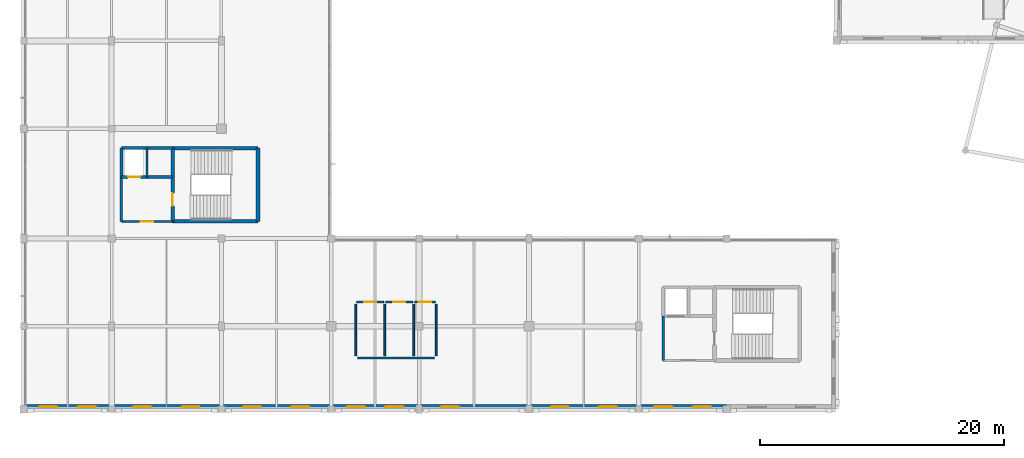
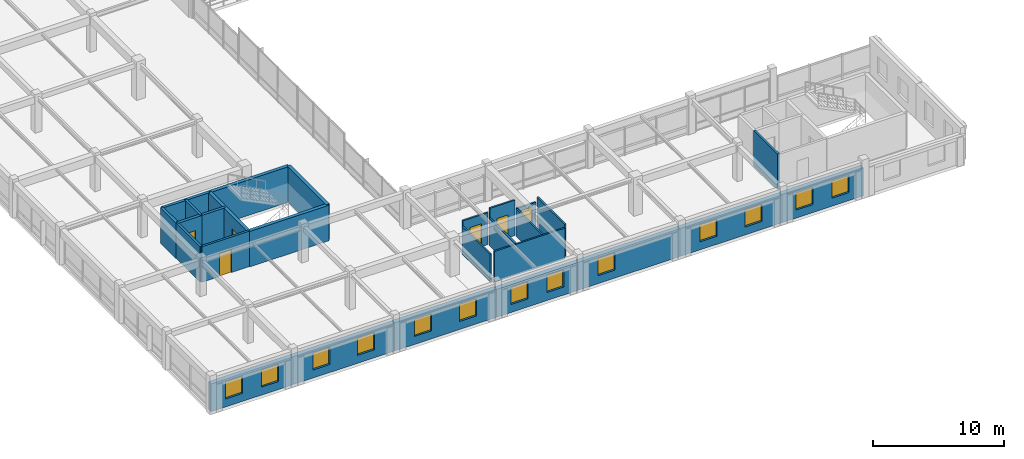
# One storey, part 49 of 74: 27 walls, 13 windows, 6 doors, 19 openings.
"""IFC4 building model written with IfcOpenShell, lengths in metres."""

from ifc_helpers import new_model, si_unit, direction, frame, frame_2d, origin, place, context, subcontext, project, spatial, rectangle, extrude, material, layer, layer_set, type_object, element, fill, save


model = new_model("IFC4")

# Units and contexts
model_context = context("Model", 3, precision=1e-05, world=origin(), true_north=direction((0.0, 1.0)))
body_context = subcontext(model_context, "Body", "Model", "MODEL_VIEW")
ifc_project = project(units=[si_unit("LENGTHUNIT", "METRE"), si_unit("AREAUNIT", "SQUARE_METRE"), si_unit("VOLUMEUNIT", "CUBIC_METRE"), si_unit("PLANEANGLEUNIT", "RADIAN"), si_unit("MASSUNIT", "GRAM", prefix="KILO")], contexts=[model_context])

# Site, building, storey
site_placement = place(None, origin())
site = spatial("IfcSite", under=ifc_project, at=site_placement, CompositionType="ELEMENT")
building_placement = place(site_placement, origin())
building = spatial("IfcBuilding", under=site, at=building_placement, Name="Clarverna Civic Hall", CompositionType="ELEMENT")
storey_placement = place(building_placement, frame((0.0, 0.0, 9.60009765625)))
storey = spatial("IfcBuildingStorey", under=building, at=storey_placement, Name="L02", CompositionType="ELEMENT", Elevation=9.60009765625)

# Wall, openings, windows
ifc_material_1 = material(Name="Montjuic Limestone Ashlar Cladding", Category="masonry")
ifc_layer_1 = layer(ifc_material_1, 0.39990234375)
ifc_layer_set_1 = layer_set([ifc_layer_1], Name="Montjuic Limestone Ashlar Cladding")
wall_type_1 = type_object("IfcWallType", Name="EW-02", PredefinedType="SOLIDWALL", material=ifc_layer_set_1)
wall_1_placement = place(storey_placement, frame((57.60009765625, 0.199951171875, 0.0), z_axis=(0.0, 0.0, 1.0), x_axis=(-1.0, 0.0, 0.0)))
wall_1 = element("IfcWall", 1, at=wall_1_placement, inside=storey, type_object=wall_type_1, Name="EW-02-132", PredefinedType="SOLIDWALL", context=body_context, shape_type="SweptSolid", body=[
    extrude(rectangle(XDim=7.2001953125, YDim=0.39990234375, at=frame_2d((3.60009765625, 0.0))), origin(), (0.0, 0.0, 1.0), 2.639892578125),
])
opening_1_placement = place(wall_1_placement, frame((1.26611328125, 0.0, 0.75)))
opening_1 = element("IfcOpeningElement", 2, at=opening_1_placement, cuts=wall_1, Name="Opening WN-14", PredefinedType="OPENING", context=body_context, shape_type="SweptSolid", body=[
    extrude(rectangle(XDim=1.5, YDim=1.60009765625, at=frame_2d((0.75, 0.800048828125))), frame((0.0, 0.2099609375, 0.0), z_axis=(0.0, -1.0, 0.0), x_axis=(1.0, 0.0, 0.0)), (0.0, 0.0, 1.0), 0.419921875),
])
opening_2_placement = place(wall_1_placement, frame((4.43408203125, 0.0, 0.75)))
opening_2 = element("IfcOpeningElement", 3, at=opening_2_placement, cuts=wall_1, Name="Opening WN-14", PredefinedType="OPENING", context=body_context, shape_type="SweptSolid", body=[
    extrude(rectangle(XDim=1.5, YDim=1.60009765625, at=frame_2d((0.75, 0.800048828125))), frame((0.0, 0.2099609375, 0.0), z_axis=(0.0, -1.0, 0.0), x_axis=(1.0, 0.0, 0.0)), (0.0, 0.0, 1.0), 0.419921875),
])
ifc_material_2 = material(Name="Solar-Control Argon Low-E Double Glazing", Category="glass")
window_type = type_object("IfcWindowType", Name="WN-14", PartitioningType="DOUBLE_PANEL_HORIZONTAL", PredefinedType="WINDOW", material=ifc_material_2)
window_1_placement = place(opening_1_placement, origin())
window_1 = element("IfcWindow", 4, at=window_1_placement, inside=storey, type_object=window_type, Name="WN-14-082", OverallHeight=1.60009765625, OverallWidth=1.5, PartitioningType="DOUBLE_PANEL_HORIZONTAL", PredefinedType="WINDOW", context=body_context, shape_type="SweptSolid", body=[
    extrude(rectangle(XDim=1.5, YDim=1.60009765625, at=frame_2d((0.75, 0.800048828125))), frame((0.0, 0.030029296875, 0.0), z_axis=(0.0, -1.0, 0.0), x_axis=(1.0, 0.0, 0.0)), (0.0, 0.0, 1.0), 0.06005859375),
])
fill(opening_1, window_1)
window_2_placement = place(opening_2_placement, origin())
window_2 = element("IfcWindow", 5, at=window_2_placement, inside=storey, type_object=window_type, Name="WN-14-083", OverallHeight=1.60009765625, OverallWidth=1.5, PartitioningType="DOUBLE_PANEL_HORIZONTAL", PredefinedType="WINDOW", context=body_context, shape_type="SweptSolid", body=[
    extrude(rectangle(XDim=1.5, YDim=1.60009765625, at=frame_2d((0.75, 0.800048828125))), frame((0.0, 0.030029296875, 0.0), z_axis=(0.0, -1.0, 0.0), x_axis=(1.0, 0.0, 0.0)), (0.0, 0.0, 1.0), 0.06005859375),
])
fill(opening_2, window_2)

wall_2_placement = place(storey_placement, frame((50.39990234375, 0.199951171875, 0.0), z_axis=(0.0, 0.0, 1.0), x_axis=(-1.0, 0.0, 0.0)))
wall_2 = element("IfcWall", 6, at=wall_2_placement, inside=storey, type_object=wall_type_1, Name="EW-02-133", PredefinedType="SOLIDWALL", context=body_context, shape_type="SweptSolid", body=[
    extrude(rectangle(XDim=9.0, YDim=0.39990234375, at=frame_2d((4.5, 0.0))), origin(), (0.0, 0.0, 1.0), 2.599853515625),
])
opening_3_placement = place(wall_2_placement, frame((1.77001953125, 0.0, 0.75)))
opening_3 = element("IfcOpeningElement", 7, at=opening_3_placement, cuts=wall_2, Name="Opening WN-14", PredefinedType="OPENING", context=body_context, shape_type="SweptSolid", body=[
    extrude(rectangle(XDim=1.5, YDim=1.60009765625, at=frame_2d((0.75, 0.800048828125))), frame((0.0, 0.2099609375, 0.0), z_axis=(0.0, -1.0, 0.0), x_axis=(1.0, 0.0, 0.0)), (0.0, 0.0, 1.0), 0.419921875),
])
opening_4_placement = place(wall_2_placement, frame((5.72998046875, 0.0, 0.75)))
opening_4 = element("IfcOpeningElement", 8, at=opening_4_placement, cuts=wall_2, Name="Opening WN-14", PredefinedType="OPENING", context=body_context, shape_type="SweptSolid", body=[
    extrude(rectangle(XDim=1.5, YDim=1.60009765625, at=frame_2d((0.75, 0.800048828125))), frame((0.0, 0.2099609375, 0.0), z_axis=(0.0, -1.0, 0.0), x_axis=(1.0, 0.0, 0.0)), (0.0, 0.0, 1.0), 0.419921875),
])
window_3_placement = place(opening_3_placement, origin())
window_3 = element("IfcWindow", 9, at=window_3_placement, inside=storey, type_object=window_type, Name="WN-14-084", OverallHeight=1.60009765625, OverallWidth=1.5, PartitioningType="DOUBLE_PANEL_HORIZONTAL", PredefinedType="WINDOW", context=body_context, shape_type="SweptSolid", body=[
    extrude(rectangle(XDim=1.5, YDim=1.60009765625, at=frame_2d((0.75, 0.800048828125))), frame((0.0, 0.030029296875, 0.0), z_axis=(0.0, -1.0, 0.0), x_axis=(1.0, 0.0, 0.0)), (0.0, 0.0, 1.0), 0.06005859375),
])
fill(opening_3, window_3)
window_4_placement = place(opening_4_placement, origin())
window_4 = element("IfcWindow", 10, at=window_4_placement, inside=storey, type_object=window_type, Name="WN-14-085", OverallHeight=1.60009765625, OverallWidth=1.5, PartitioningType="DOUBLE_PANEL_HORIZONTAL", PredefinedType="WINDOW", context=body_context, shape_type="SweptSolid", body=[
    extrude(rectangle(XDim=1.5, YDim=1.60009765625, at=frame_2d((0.75, 0.800048828125))), frame((0.0, 0.030029296875, 0.0), z_axis=(0.0, -1.0, 0.0), x_axis=(1.0, 0.0, 0.0)), (0.0, 0.0, 1.0), 0.06005859375),
])
fill(opening_4, window_4)

# Wall, opening, window
wall_3_placement = place(storey_placement, frame((41.39990234375, 0.199951171875, 0.0), z_axis=(0.0, 0.0, 1.0), x_axis=(-1.0, 0.0, 0.0)))
wall_3 = element("IfcWall", 11, at=wall_3_placement, inside=storey, type_object=wall_type_1, Name="EW-02-134", PredefinedType="SOLIDWALL", context=body_context, shape_type="SweptSolid", body=[
    extrude(rectangle(XDim=9.0, YDim=0.39990234375, at=frame_2d((4.5, 0.0))), origin(), (0.0, 0.0, 1.0), 2.599853515625),
])
opening_5_placement = place(wall_3_placement, frame((5.72998046875, 0.0, 0.75)))
opening_5 = element("IfcOpeningElement", 12, at=opening_5_placement, cuts=wall_3, Name="Opening WN-14", PredefinedType="OPENING", context=body_context, shape_type="SweptSolid", body=[
    extrude(rectangle(XDim=1.5, YDim=1.60009765625, at=frame_2d((0.75, 0.800048828125))), frame((0.0, 0.2099609375, 0.0), z_axis=(0.0, -1.0, 0.0), x_axis=(1.0, 0.0, 0.0)), (0.0, 0.0, 1.0), 0.419921875),
])
window_5_placement = place(opening_5_placement, origin())
window_5 = element("IfcWindow", 13, at=window_5_placement, inside=storey, type_object=window_type, Name="WN-14-086", OverallHeight=1.60009765625, OverallWidth=1.5, PartitioningType="DOUBLE_PANEL_HORIZONTAL", PredefinedType="WINDOW", context=body_context, shape_type="SweptSolid", body=[
    extrude(rectangle(XDim=1.5, YDim=1.60009765625, at=frame_2d((0.75, 0.800048828125))), frame((0.0, 0.030029296875, 0.0), z_axis=(0.0, -1.0, 0.0), x_axis=(1.0, 0.0, 0.0)), (0.0, 0.0, 1.0), 0.06005859375),
])
fill(opening_5, window_5)

# Wall, openings, windows
wall_4_placement = place(storey_placement, frame((32.39990234375, 0.199951171875, 0.0), z_axis=(0.0, 0.0, 1.0), x_axis=(-1.0, 0.0, 0.0)))
wall_4 = element("IfcWall", 14, at=wall_4_placement, inside=storey, type_object=wall_type_1, Name="EW-02-135", PredefinedType="SOLIDWALL", context=body_context, shape_type="SweptSolid", body=[
    extrude(rectangle(XDim=7.199951171875, YDim=0.39990234375, at=frame_2d((3.60009765625, 0.0))), origin(), (0.0, 0.0, 1.0), 2.599853515625),
])
opening_6_placement = place(wall_4_placement, frame((1.26611328125, 0.0, 0.75)))
opening_6 = element("IfcOpeningElement", 15, at=opening_6_placement, cuts=wall_4, Name="Opening WN-14", PredefinedType="OPENING", context=body_context, shape_type="SweptSolid", body=[
    extrude(rectangle(XDim=1.5, YDim=1.60009765625, at=frame_2d((0.75, 0.800048828125))), frame((0.0, 0.2099609375, 0.0), z_axis=(0.0, -1.0, 0.0), x_axis=(1.0, 0.0, 0.0)), (0.0, 0.0, 1.0), 0.419921875),
])
opening_7_placement = place(wall_4_placement, frame((4.43408203125, 0.0, 0.75)))
opening_7 = element("IfcOpeningElement", 16, at=opening_7_placement, cuts=wall_4, Name="Opening WN-14", PredefinedType="OPENING", context=body_context, shape_type="SweptSolid", body=[
    extrude(rectangle(XDim=1.5, YDim=1.60009765625, at=frame_2d((0.75, 0.800048828125))), frame((0.0, 0.2099609375, 0.0), z_axis=(0.0, -1.0, 0.0), x_axis=(1.0, 0.0, 0.0)), (0.0, 0.0, 1.0), 0.419921875),
])
window_6_placement = place(opening_6_placement, origin())
window_6 = element("IfcWindow", 17, at=window_6_placement, inside=storey, type_object=window_type, Name="WN-14-087", OverallHeight=1.60009765625, OverallWidth=1.5, PartitioningType="DOUBLE_PANEL_HORIZONTAL", PredefinedType="WINDOW", context=body_context, shape_type="SweptSolid", body=[
    extrude(rectangle(XDim=1.5, YDim=1.60009765625, at=frame_2d((0.75, 0.800048828125))), frame((0.0, 0.030029296875, 0.0), z_axis=(0.0, -1.0, 0.0), x_axis=(1.0, 0.0, 0.0)), (0.0, 0.0, 1.0), 0.06005859375),
])
fill(opening_6, window_6)
window_7_placement = place(opening_7_placement, origin())
window_7 = element("IfcWindow", 18, at=window_7_placement, inside=storey, type_object=window_type, Name="WN-14-088", OverallHeight=1.60009765625, OverallWidth=1.5, PartitioningType="DOUBLE_PANEL_HORIZONTAL", PredefinedType="WINDOW", context=body_context, shape_type="SweptSolid", body=[
    extrude(rectangle(XDim=1.5, YDim=1.60009765625, at=frame_2d((0.75, 0.800048828125))), frame((0.0, 0.030029296875, 0.0), z_axis=(0.0, -1.0, 0.0), x_axis=(1.0, 0.0, 0.0)), (0.0, 0.0, 1.0), 0.06005859375),
])
fill(opening_7, window_7)

wall_5_placement = place(storey_placement, frame((25.199951171875, 0.199951171875, 0.0), z_axis=(0.0, 0.0, 1.0), x_axis=(-1.0, 0.0, 0.0)))
wall_5 = element("IfcWall", 19, at=wall_5_placement, inside=storey, type_object=wall_type_1, Name="EW-02-136", PredefinedType="SOLIDWALL", context=body_context, shape_type="SweptSolid", body=[
    extrude(rectangle(XDim=9.0, YDim=0.39990234375, at=frame_2d((4.5, 0.0))), origin(), (0.0, 0.0, 1.0), 2.639892578125),
])
opening_8_placement = place(wall_5_placement, frame((1.77001953125, 0.0, 0.75)))
opening_8 = element("IfcOpeningElement", 20, at=opening_8_placement, cuts=wall_5, Name="Opening WN-14", PredefinedType="OPENING", context=body_context, shape_type="SweptSolid", body=[
    extrude(rectangle(XDim=1.5, YDim=1.60009765625, at=frame_2d((0.75, 0.800048828125))), frame((0.0, 0.2099609375, 0.0), z_axis=(0.0, -1.0, 0.0), x_axis=(1.0, 0.0, 0.0)), (0.0, 0.0, 1.0), 0.419921875),
])
opening_9_placement = place(wall_5_placement, frame((5.72998046875, 0.0, 0.75)))
opening_9 = element("IfcOpeningElement", 21, at=opening_9_placement, cuts=wall_5, Name="Opening WN-14", PredefinedType="OPENING", context=body_context, shape_type="SweptSolid", body=[
    extrude(rectangle(XDim=1.5, YDim=1.60009765625, at=frame_2d((0.75, 0.800048828125))), frame((0.0, 0.2099609375, 0.0), z_axis=(0.0, -1.0, 0.0), x_axis=(1.0, 0.0, 0.0)), (0.0, 0.0, 1.0), 0.419921875),
])
window_8_placement = place(opening_8_placement, origin())
window_8 = element("IfcWindow", 22, at=window_8_placement, inside=storey, type_object=window_type, Name="WN-14-089", OverallHeight=1.60009765625, OverallWidth=1.5, PartitioningType="DOUBLE_PANEL_HORIZONTAL", PredefinedType="WINDOW", context=body_context, shape_type="SweptSolid", body=[
    extrude(rectangle(XDim=1.5, YDim=1.60009765625, at=frame_2d((0.75, 0.800048828125))), frame((0.0, 0.030029296875, 0.0), z_axis=(0.0, -1.0, 0.0), x_axis=(1.0, 0.0, 0.0)), (0.0, 0.0, 1.0), 0.06005859375),
])
fill(opening_8, window_8)
window_9_placement = place(opening_9_placement, origin())
window_9 = element("IfcWindow", 23, at=window_9_placement, inside=storey, type_object=window_type, Name="WN-14-090", OverallHeight=1.60009765625, OverallWidth=1.5, PartitioningType="DOUBLE_PANEL_HORIZONTAL", PredefinedType="WINDOW", context=body_context, shape_type="SweptSolid", body=[
    extrude(rectangle(XDim=1.5, YDim=1.60009765625, at=frame_2d((0.75, 0.800048828125))), frame((0.0, 0.030029296875, 0.0), z_axis=(0.0, -1.0, 0.0), x_axis=(1.0, 0.0, 0.0)), (0.0, 0.0, 1.0), 0.06005859375),
])
fill(opening_9, window_9)

wall_6_placement = place(storey_placement, frame((16.199951171875, 0.199951171875, 0.0), z_axis=(0.0, 0.0, 1.0), x_axis=(-1.0, 0.0, 0.0)))
wall_6 = element("IfcWall", 24, at=wall_6_placement, inside=storey, type_object=wall_type_1, Name="EW-02-137", PredefinedType="SOLIDWALL", context=body_context, shape_type="SweptSolid", body=[
    extrude(rectangle(XDim=9.0, YDim=0.39990234375, at=frame_2d((4.5, 0.0))), origin(), (0.0, 0.0, 1.0), 2.599853515625),
])
opening_10_placement = place(wall_6_placement, frame((1.77001953125, 0.0, 0.75)))
opening_10 = element("IfcOpeningElement", 25, at=opening_10_placement, cuts=wall_6, Name="Opening WN-14", PredefinedType="OPENING", context=body_context, shape_type="SweptSolid", body=[
    extrude(rectangle(XDim=1.5, YDim=1.60009765625, at=frame_2d((0.75, 0.800048828125))), frame((0.0, 0.2099609375, 0.0), z_axis=(0.0, -1.0, 0.0), x_axis=(1.0, 0.0, 0.0)), (0.0, 0.0, 1.0), 0.419921875),
])
opening_11_placement = place(wall_6_placement, frame((5.72998046875, 0.0, 0.75)))
opening_11 = element("IfcOpeningElement", 26, at=opening_11_placement, cuts=wall_6, Name="Opening WN-14", PredefinedType="OPENING", context=body_context, shape_type="SweptSolid", body=[
    extrude(rectangle(XDim=1.5, YDim=1.60009765625, at=frame_2d((0.75, 0.800048828125))), frame((0.0, 0.2099609375, 0.0), z_axis=(0.0, -1.0, 0.0), x_axis=(1.0, 0.0, 0.0)), (0.0, 0.0, 1.0), 0.419921875),
])
window_10_placement = place(opening_10_placement, origin())
window_10 = element("IfcWindow", 27, at=window_10_placement, inside=storey, type_object=window_type, Name="WN-14-091", OverallHeight=1.60009765625, OverallWidth=1.5, PartitioningType="DOUBLE_PANEL_HORIZONTAL", PredefinedType="WINDOW", context=body_context, shape_type="SweptSolid", body=[
    extrude(rectangle(XDim=1.5, YDim=1.60009765625, at=frame_2d((0.75, 0.800048828125))), frame((0.0, 0.030029296875, 0.0), z_axis=(0.0, -1.0, 0.0), x_axis=(1.0, 0.0, 0.0)), (0.0, 0.0, 1.0), 0.06005859375),
])
fill(opening_10, window_10)
window_11_placement = place(opening_11_placement, origin())
window_11 = element("IfcWindow", 28, at=window_11_placement, inside=storey, type_object=window_type, Name="WN-14-092", OverallHeight=1.60009765625, OverallWidth=1.5, PartitioningType="DOUBLE_PANEL_HORIZONTAL", PredefinedType="WINDOW", context=body_context, shape_type="SweptSolid", body=[
    extrude(rectangle(XDim=1.5, YDim=1.60009765625, at=frame_2d((0.75, 0.800048828125))), frame((0.0, 0.030029296875, 0.0), z_axis=(0.0, -1.0, 0.0), x_axis=(1.0, 0.0, 0.0)), (0.0, 0.0, 1.0), 0.06005859375),
])
fill(opening_11, window_11)

wall_7_placement = place(storey_placement, frame((7.199951171875, 0.199951171875, 0.0), z_axis=(0.0, 0.0, 1.0), x_axis=(-1.0, 0.0, 0.0)))
wall_7 = element("IfcWall", 29, at=wall_7_placement, inside=storey, type_object=wall_type_1, Name="EW-02-138", PredefinedType="SOLIDWALL", context=body_context, shape_type="SweptSolid", body=[
    extrude(rectangle(XDim=7.199951171875, YDim=0.39990234375, at=frame_2d((3.60009765625, 0.0))), origin(), (0.0, 0.0, 1.0), 2.599853515625),
])
opening_12_placement = place(wall_7_placement, frame((1.26611328125, 0.0, 0.75)))
opening_12 = element("IfcOpeningElement", 30, at=opening_12_placement, cuts=wall_7, Name="Opening WN-14", PredefinedType="OPENING", context=body_context, shape_type="SweptSolid", body=[
    extrude(rectangle(XDim=1.5, YDim=1.60009765625, at=frame_2d((0.75, 0.800048828125))), frame((0.0, 0.2099609375, 0.0), z_axis=(0.0, -1.0, 0.0), x_axis=(1.0, 0.0, 0.0)), (0.0, 0.0, 1.0), 0.419921875),
])
opening_13_placement = place(wall_7_placement, frame((4.43408203125, 0.0, 0.75)))
opening_13 = element("IfcOpeningElement", 31, at=opening_13_placement, cuts=wall_7, Name="Opening WN-14", PredefinedType="OPENING", context=body_context, shape_type="SweptSolid", body=[
    extrude(rectangle(XDim=1.5, YDim=1.60009765625, at=frame_2d((0.75, 0.800048828125))), frame((0.0, 0.2099609375, 0.0), z_axis=(0.0, -1.0, 0.0), x_axis=(1.0, 0.0, 0.0)), (0.0, 0.0, 1.0), 0.419921875),
])
window_12_placement = place(opening_12_placement, origin())
window_12 = element("IfcWindow", 32, at=window_12_placement, inside=storey, type_object=window_type, Name="WN-14-093", OverallHeight=1.60009765625, OverallWidth=1.5, PartitioningType="DOUBLE_PANEL_HORIZONTAL", PredefinedType="WINDOW", context=body_context, shape_type="SweptSolid", body=[
    extrude(rectangle(XDim=1.5, YDim=1.60009765625, at=frame_2d((0.75, 0.800048828125))), frame((0.0, 0.030029296875, 0.0), z_axis=(0.0, -1.0, 0.0), x_axis=(1.0, 0.0, 0.0)), (0.0, 0.0, 1.0), 0.06005859375),
])
fill(opening_12, window_12)
window_13_placement = place(opening_13_placement, origin())
window_13 = element("IfcWindow", 33, at=window_13_placement, inside=storey, type_object=window_type, Name="WN-14-094", OverallHeight=1.60009765625, OverallWidth=1.5, PartitioningType="DOUBLE_PANEL_HORIZONTAL", PredefinedType="WINDOW", context=body_context, shape_type="SweptSolid", body=[
    extrude(rectangle(XDim=1.5, YDim=1.60009765625, at=frame_2d((0.75, 0.800048828125))), frame((0.0, 0.030029296875, 0.0), z_axis=(0.0, -1.0, 0.0), x_axis=(1.0, 0.0, 0.0)), (0.0, 0.0, 1.0), 0.06005859375),
])
fill(opening_13, window_13)

# Walls
ifc_material_3 = material(Name="Ceramic Brick and Plaster Wet-Room Partition", Category="masonry")
ifc_layer_2 = layer(ifc_material_3, 0.139892578125)
ifc_layer_set_2 = layer_set([ifc_layer_2], Name="Ceramic Brick and Plaster Wet-Room Partition")
wall_type_2 = type_object("IfcWallType", Name="PW-02", PredefinedType="PARTITIONING", material=ifc_layer_set_2)
wall_8_placement = place(storey_placement, frame((27.3798828125, 4.199951171875, 0.0), z_axis=(0.0, 0.0, 1.0), x_axis=(1.0, 0.0, 0.0)))
element("IfcWall", 34, at=wall_8_placement, inside=storey, type_object=wall_type_2, Name="PW-02-185", PredefinedType="PARTITIONING", context=body_context, shape_type="SweptSolid", body=[
    extrude(rectangle(XDim=6.240234375, YDim=0.139892578125, at=frame_2d((3.1201171875, 0.0))), origin(), (0.0, 0.0, 1.0), 2.869873046875),
])
wall_9_placement = place(storey_placement, frame((27.199951171875, 4.3798828125, 0.0), z_axis=(0.0, 0.0, 1.0), x_axis=(0.0, 1.0, 0.0)))
element("IfcWall", 35, at=wall_9_placement, inside=storey, type_object=wall_type_2, Name="PW-02-186", PredefinedType="PARTITIONING", context=body_context, shape_type="SweptSolid", body=[
    extrude(rectangle(XDim=4.240234375, YDim=0.139892578125, at=frame_2d((2.1201171875, 0.0))), origin(), (0.0, 0.0, 1.0), 2.56982421875),
])
wall_10_placement = place(storey_placement, frame((33.800048828125, 4.3798828125, 0.0), z_axis=(0.0, 0.0, 1.0), x_axis=(0.0, 1.0, 0.0)))
element("IfcWall", 36, at=wall_10_placement, inside=storey, type_object=wall_type_2, Name="PW-02-187", PredefinedType="PARTITIONING", context=body_context, shape_type="SweptSolid", body=[
    extrude(rectangle(XDim=4.240234375, YDim=0.139892578125, at=frame_2d((2.1201171875, 0.0))), origin(), (0.0, 0.0, 1.0), 3.02978515625),
])
for number, where, z_axis, x_axis, name in (
    (37, (29.575927734375, 4.3798828125, 0.0), (0.0, 0.0, 1.0), (0.0, 1.0, 0.0), "PW-02-188"),
    (38, (31.951904296875, 4.3798828125, 0.0), (0.0, 0.0, 1.0), (0.0, 1.0, 0.0), "PW-02-189"),
):
    element("IfcWall", number, at=place(storey_placement, frame(where, z_axis=z_axis, x_axis=x_axis)), inside=storey, type_object=wall_type_2, Name=name, PredefinedType="PARTITIONING", context=body_context, shape_type="SweptSolid", body=[
        extrude(rectangle(XDim=4.240234375, YDim=0.139892578125, at=frame_2d((2.1201171875, 0.0))), origin(), (0.0, 0.0, 1.0), 2.56982421875),
    ])

# Wall, opening, door
wall_11_placement = place(storey_placement, frame((27.280029296875, 8.800048828125, 0.0), z_axis=(0.0, 0.0, 1.0), x_axis=(1.0, 0.0, 0.0)))
wall_11 = element("IfcWall", 39, at=wall_11_placement, inside=storey, type_object=wall_type_2, Name="PW-02-190", PredefinedType="PARTITIONING", context=body_context, shape_type="SweptSolid", body=[
    extrude(rectangle(XDim=2.216064453125, YDim=0.139892578125, at=frame_2d((1.10791015625, 0.0))), origin(), (0.0, 0.0, 1.0), 2.989990234375),
])
opening_14_placement = place(wall_11_placement, frame((0.60791015625, 0.0, 0.0)))
opening_14 = element("IfcOpeningElement", 40, at=opening_14_placement, cuts=wall_11, Name="Opening ID-02", PredefinedType="OPENING", context=body_context, shape_type="SweptSolid", body=[
    extrude(rectangle(XDim=1.0, YDim=2.14990234375, at=frame_2d((0.5, 1.074951171875))), frame((0.0, 0.079833984375, 0.0), z_axis=(0.0, -1.0, 0.0), x_axis=(1.0, 0.0, 0.0)), (0.0, 0.0, 1.0), 0.159912109375),
])
ifc_material_4 = material(Name="European Oak Veneered Acoustic Timber Door", Category="wood")
door_type_1 = type_object("IfcDoorType", Name="ID-02", OperationType="NOTDEFINED", PredefinedType="DOOR", material=ifc_material_4)
door_1_placement = place(opening_14_placement, origin())
door_1 = element("IfcDoor", 41, at=door_1_placement, inside=storey, type_object=door_type_1, Name="ID-02-070", OperationType="SINGLE_SWING_RIGHT", OverallHeight=2.14990234375, OverallWidth=1.0, PredefinedType="DOOR", context=body_context, shape_type="SweptSolid", body=[
    extrude(rectangle(XDim=1.0, YDim=2.14990234375, at=frame_2d((0.5, 1.074951171875))), frame((0.0, 0.02490234375, 0.0), z_axis=(0.0, -1.0, 0.0), x_axis=(1.0, 0.0, 0.0)), (0.0, 0.0, 1.0), 0.050048828125),
])
fill(opening_14, door_1)

wall_12_placement = place(storey_placement, frame((29.656005859375, 8.800048828125, 0.0), z_axis=(0.0, 0.0, 1.0), x_axis=(1.0, 0.0, 0.0)))
wall_12 = element("IfcWall", 42, at=wall_12_placement, inside=storey, type_object=wall_type_2, Name="PW-02-191", PredefinedType="PARTITIONING", context=body_context, shape_type="SweptSolid", body=[
    extrude(rectangle(XDim=2.216064453125, YDim=0.139892578125, at=frame_2d((1.10791015625, 0.0))), origin(), (0.0, 0.0, 1.0), 3.31982421875),
])
opening_15_placement = place(wall_12_placement, frame((0.60791015625, 0.0, 0.0)))
opening_15 = element("IfcOpeningElement", 43, at=opening_15_placement, cuts=wall_12, Name="Opening ID-02", PredefinedType="OPENING", context=body_context, shape_type="SweptSolid", body=[
    extrude(rectangle(XDim=1.0, YDim=2.14990234375, at=frame_2d((0.5, 1.074951171875))), frame((0.0, 0.079833984375, 0.0), z_axis=(0.0, -1.0, 0.0), x_axis=(1.0, 0.0, 0.0)), (0.0, 0.0, 1.0), 0.159912109375),
])
door_2_placement = place(opening_15_placement, origin())
door_2 = element("IfcDoor", 44, at=door_2_placement, inside=storey, type_object=door_type_1, Name="ID-02-071", OperationType="SINGLE_SWING_LEFT", OverallHeight=2.14990234375, OverallWidth=1.0, PredefinedType="DOOR", context=body_context, shape_type="SweptSolid", body=[
    extrude(rectangle(XDim=1.0, YDim=2.14990234375, at=frame_2d((0.5, 1.074951171875))), frame((0.0, 0.02490234375, 0.0), z_axis=(0.0, -1.0, 0.0), x_axis=(1.0, 0.0, 0.0)), (0.0, 0.0, 1.0), 0.050048828125),
])
fill(opening_15, door_2)

wall_13_placement = place(storey_placement, frame((32.031982421875, 8.800048828125, 0.0), z_axis=(0.0, 0.0, 1.0), x_axis=(1.0, 0.0, 0.0)))
wall_13 = element("IfcWall", 45, at=wall_13_placement, inside=storey, type_object=wall_type_2, Name="PW-02-192", PredefinedType="PARTITIONING", context=body_context, shape_type="SweptSolid", body=[
    extrude(rectangle(XDim=1.68798828125, YDim=0.139892578125, at=frame_2d((0.843994140625, 0.0))), origin(), (0.0, 0.0, 1.0), 2.469970703125),
])
opening_16_placement = place(wall_13_placement, frame((0.343994140625, 0.0, 0.0)))
opening_16 = element("IfcOpeningElement", 46, at=opening_16_placement, cuts=wall_13, Name="Opening ID-02", PredefinedType="OPENING", context=body_context, shape_type="SweptSolid", body=[
    extrude(rectangle(XDim=1.0, YDim=2.14990234375, at=frame_2d((0.5, 1.074951171875))), frame((0.0, 0.079833984375, 0.0), z_axis=(0.0, -1.0, 0.0), x_axis=(1.0, 0.0, 0.0)), (0.0, 0.0, 1.0), 0.159912109375),
])
door_3_placement = place(opening_16_placement, origin())
door_3 = element("IfcDoor", 47, at=door_3_placement, inside=storey, type_object=door_type_1, Name="ID-02-072", OperationType="SINGLE_SWING_RIGHT", OverallHeight=2.14990234375, OverallWidth=1.0, PredefinedType="DOOR", context=body_context, shape_type="SweptSolid", body=[
    extrude(rectangle(XDim=1.0, YDim=2.14990234375, at=frame_2d((0.5, 1.074951171875))), frame((0.0, 0.02490234375, 0.0), z_axis=(0.0, -1.0, 0.0), x_axis=(1.0, 0.0, 0.0)), (0.0, 0.0, 1.0), 0.050048828125),
])
fill(opening_16, door_3)

# Walls
ifc_material_5 = material(Name="Acoustic Gypsum Plasterboard on Twin Frame", Category="gypsum")
ifc_layer_3 = layer(ifc_material_5, 0.18994140625)
ifc_layer_set_3 = layer_set([ifc_layer_3], Name="Acoustic Gypsum Plasterboard on Twin Frame")
wall_type_3 = type_object("IfcWallType", Name="PW-06", PredefinedType="PARTITIONING", material=ifc_layer_set_3)
wall_14_placement = place(storey_placement, frame((52.39990234375, 4.0, 0.0), z_axis=(0.0, 0.0, 1.0), x_axis=(0.0, 1.0, 0.0)))
element("IfcWall", 48, at=wall_14_placement, inside=storey, type_object=wall_type_3, Name="PW-06-075", PredefinedType="PARTITIONING", context=body_context, shape_type="SweptSolid", body=[
    extrude(rectangle(XDim=3.64990234375, YDim=0.18994140625, at=frame_2d((1.824951171875, 0.0))), origin(), (0.0, 0.0, 1.0), 3.31982421875),
])
wall_15_placement = place(storey_placement, frame((8.0, 15.39990234375, 0.0), z_axis=(0.0, 0.0, 1.0), x_axis=(0.0, 1.0, 0.0)))
element("IfcWall", 49, at=wall_15_placement, inside=storey, type_object=wall_type_3, Name="PW-06-085", PredefinedType="PARTITIONING", context=body_context, shape_type="SweptSolid", body=[
    extrude(rectangle(XDim=3.650146484375, YDim=0.18994140625, at=frame_2d((1.8251953125, 0.0))), origin(), (0.0, 0.0, 1.0), 3.31982421875),
])

# Wall, opening, door
wall_16_placement = place(storey_placement, frame((8.0, 15.39990234375, 0.0), z_axis=(0.0, 0.0, 1.0), x_axis=(1.0, 0.0, 0.0)))
wall_16 = element("IfcWall", 50, at=wall_16_placement, inside=storey, type_object=wall_type_3, Name="PW-06-086", PredefinedType="PARTITIONING", context=body_context, shape_type="SweptSolid", body=[
    extrude(rectangle(XDim=4.199951171875, YDim=0.18994140625, at=frame_2d((2.10009765625, 0.0))), origin(), (0.0, 0.0, 1.0), 3.31982421875),
])
opening_17_placement = place(wall_16_placement, frame((1.574951171875, 0.0, 0.0)))
opening_17 = element("IfcOpeningElement", 51, at=opening_17_placement, cuts=wall_16, Name="Opening FD-02", PredefinedType="OPENING", context=body_context, shape_type="SweptSolid", body=[
    extrude(rectangle(XDim=1.050048828125, YDim=2.14990234375, at=frame_2d((0.52490234375, 1.074951171875))), frame((0.0, 0.10498046875, 0.0), z_axis=(0.0, -1.0, 0.0), x_axis=(1.0, 0.0, 0.0)), (0.0, 0.0, 1.0), 0.2099609375),
])
ifc_material_6 = material(Name="Acoustic Timber-Faced Fire Door", Category="wood")
door_type_2 = type_object("IfcDoorType", Name="FD-02", OperationType="NOTDEFINED", PredefinedType="DOOR", material=ifc_material_6)
door_4_placement = place(opening_17_placement, origin())
door_4 = element("IfcDoor", 52, at=door_4_placement, inside=storey, type_object=door_type_2, Name="FD-02-079", OperationType="SINGLE_SWING_RIGHT", OverallHeight=2.14990234375, OverallWidth=1.050048828125, PredefinedType="DOOR", context=body_context, shape_type="SweptSolid", body=[
    extrude(rectangle(XDim=1.050048828125, YDim=2.14990234375, at=frame_2d((0.52490234375, 1.074951171875))), frame((0.0, 0.02490234375, 0.0), z_axis=(0.0, -1.0, 0.0), x_axis=(1.0, 0.0, 0.0)), (0.0, 0.0, 1.0), 0.050048828125),
])
fill(opening_17, door_4)

ifc_material_7 = material(Name="Concrete C35/45", Category="concrete")
ifc_layer_4 = layer(ifc_material_7, 0.300048828125)
ifc_layer_set_4 = layer_set([ifc_layer_4], Name="Concrete C35/45")
wall_type_4 = type_object("IfcWallType", Name="SW-03", PredefinedType="SHEAR", material=ifc_layer_set_4)
wall_17_placement = place(storey_placement, frame((12.199951171875, 15.39990234375, 0.0), z_axis=(0.0, 0.0, 1.0), x_axis=(0.0, 1.0, 0.0)))
wall_17 = element("IfcWall", 53, at=wall_17_placement, inside=storey, type_object=wall_type_4, Name="SW-03-127", PredefinedType="SHEAR", context=body_context, shape_type="SweptSolid", body=[
    extrude(rectangle(XDim=6.0, YDim=0.300048828125, at=frame_2d((3.0, 0.0))), origin(), (0.0, 0.0, 1.0), 3.31982421875),
])
opening_18_placement = place(wall_17_placement, frame((1.27490234375, 0.0, 0.0)))
opening_18 = element("IfcOpeningElement", 54, at=opening_18_placement, cuts=wall_17, Name="Opening FD-02", PredefinedType="OPENING", context=body_context, shape_type="SweptSolid", body=[
    extrude(rectangle(XDim=1.050048828125, YDim=2.14990234375, at=frame_2d((0.52490234375, 1.074951171875))), frame((0.0, 0.159912109375, 0.0), z_axis=(0.0, -1.0, 0.0), x_axis=(1.0, 0.0, 0.0)), (0.0, 0.0, 1.0), 0.320068359375),
])
door_5_placement = place(opening_18_placement, origin())
door_5 = element("IfcDoor", 55, at=door_5_placement, inside=storey, type_object=door_type_2, Name="FD-02-078", OperationType="SINGLE_SWING_LEFT", OverallHeight=2.14990234375, OverallWidth=1.050048828125, PredefinedType="DOOR", context=body_context, shape_type="SweptSolid", body=[
    extrude(rectangle(XDim=1.050048828125, YDim=2.14990234375, at=frame_2d((0.52490234375, 1.074951171875))), frame((0.0, 0.02490234375, 0.0), z_axis=(0.0, -1.0, 0.0), x_axis=(1.0, 0.0, 0.0)), (0.0, 0.0, 1.0), 0.050048828125),
])
fill(opening_18, door_5)

# Walls
wall_18_placement = place(storey_placement, frame((19.199951171875, 15.39990234375, 0.0), z_axis=(0.0, 0.0, 1.0), x_axis=(0.0, 1.0, 0.0)))
element("IfcWall", 56, at=wall_18_placement, inside=storey, type_object=wall_type_4, Name="SW-03-128", PredefinedType="SHEAR", context=body_context, shape_type="SweptSolid", body=[
    extrude(rectangle(XDim=6.0, YDim=0.300048828125, at=frame_2d((3.0, 0.0))), origin(), (0.0, 0.0, 1.0), 3.31982421875),
])
for number, where, z_axis, x_axis, name in (
    (57, (12.199951171875, 15.39990234375, 0.0), (0.0, 0.0, 1.0), (1.0, 0.0, 0.0), "SW-03-129"),
    (58, (12.199951171875, 21.39990234375, 0.0), (0.0, 0.0, 1.0), (1.0, 0.0, 0.0), "SW-03-130"),
):
    element("IfcWall", number, at=place(storey_placement, frame(where, z_axis=z_axis, x_axis=x_axis)), inside=storey, type_object=wall_type_4, Name=name, PredefinedType="SHEAR", context=body_context, shape_type="SweptSolid", body=[
        extrude(rectangle(XDim=7.0, YDim=0.300048828125, at=frame_2d((3.5, 0.0))), origin(), (0.0, 0.0, 1.0), 3.31982421875),
    ])
wall_19_placement = place(storey_placement, frame((8.0, 21.39990234375, 0.0), z_axis=(0.0, 0.0, 1.0), x_axis=(1.0, 0.0, 0.0)))
element("IfcWall", 59, at=wall_19_placement, inside=storey, type_object=wall_type_4, Name="SW-03-131", PredefinedType="SHEAR", context=body_context, shape_type="SweptSolid", body=[
    extrude(rectangle(XDim=4.199951171875, YDim=0.239990234375, at=frame_2d((2.10009765625, 0.0))), origin(), (0.0, 0.0, 1.0), 3.31982421875),
])
wall_20_placement = place(storey_placement, frame((8.0, 19.050048828125, 0.0), z_axis=(0.0, 0.0, 1.0), x_axis=(0.0, 1.0, 0.0)))
element("IfcWall", 60, at=wall_20_placement, inside=storey, type_object=wall_type_4, Name="SW-03-132", PredefinedType="SHEAR", context=body_context, shape_type="SweptSolid", body=[
    extrude(rectangle(XDim=2.349853515625, YDim=0.239990234375, at=frame_2d((1.1748046875, 0.0))), origin(), (0.0, 0.0, 1.0), 3.31982421875),
])
wall_21_placement = place(storey_placement, frame((10.10009765625, 19.050048828125, 0.0), z_axis=(0.0, 0.0, 1.0), x_axis=(0.0, 1.0, 0.0)))
element("IfcWall", 61, at=wall_21_placement, inside=storey, type_object=wall_type_4, Name="SW-03-133", PredefinedType="SHEAR", context=body_context, shape_type="SweptSolid", body=[
    extrude(rectangle(XDim=2.349853515625, YDim=0.199951171875, at=frame_2d((1.1748046875, 0.0))), origin(), (0.0, 0.0, 1.0), 3.31982421875),
])

# Wall, opening, door
wall_22_placement = place(storey_placement, frame((8.0, 19.050048828125, 0.0), z_axis=(0.0, 0.0, 1.0), x_axis=(1.0, 0.0, 0.0)))
wall_22 = element("IfcWall", 62, at=wall_22_placement, inside=storey, type_object=wall_type_4, Name="SW-03-134", PredefinedType="SHEAR", context=body_context, shape_type="SweptSolid", body=[
    extrude(rectangle(XDim=2.10009765625, YDim=0.239990234375, at=frame_2d((1.050048828125, 0.0))), origin(), (0.0, 0.0, 1.0), 3.31982421875),
])
opening_19_placement = place(wall_22_placement, frame((0.550048828125, 0.0, 0.0)))
opening_19 = element("IfcOpeningElement", 63, at=opening_19_placement, cuts=wall_22, Name="Opening LD-01", PredefinedType="OPENING", context=body_context, shape_type="SweptSolid", body=[
    extrude(rectangle(XDim=1.0, YDim=2.10009765625, at=frame_2d((0.5, 1.050048828125))), frame((0.0, 0.1298828125, 0.0), z_axis=(0.0, -1.0, 0.0), x_axis=(1.0, 0.0, 0.0)), (0.0, 0.0, 1.0), 0.260009765625),
])
ifc_material_8 = material(Name="Brushed Bronze Stainless Lift Landing Door")
door_type_3 = type_object("IfcDoorType", Name="LD-01", OperationType="SLIDING_TO_LEFT", PredefinedType="DOOR", material=ifc_material_8)
door_6_placement = place(opening_19_placement, origin())
door_6 = element("IfcDoor", 64, at=door_6_placement, inside=storey, type_object=door_type_3, Name="LD-01-062", OperationType="SLIDING_TO_LEFT", OverallHeight=2.10009765625, OverallWidth=1.0, PredefinedType="DOOR", context=body_context, shape_type="SweptSolid", body=[
    extrude(rectangle(XDim=1.0, YDim=2.10009765625, at=frame_2d((0.5, 1.050048828125))), frame((0.0, 0.02490234375, 0.0), z_axis=(0.0, -1.0, 0.0), x_axis=(1.0, 0.0, 0.0)), (0.0, 0.0, 1.0), 0.050048828125),
])
fill(opening_19, door_6)

# Wall
wall_23_placement = place(storey_placement, frame((10.10009765625, 19.050048828125, 0.0), z_axis=(0.0, 0.0, 1.0), x_axis=(1.0, 0.0, 0.0)))
element("IfcWall", 65, at=wall_23_placement, inside=storey, type_object=wall_type_4, Name="SW-03-135", PredefinedType="SHEAR", context=body_context, shape_type="SweptSolid", body=[
    extrude(rectangle(XDim=2.099853515625, YDim=0.239990234375, at=frame_2d((1.0498046875, 0.0))), origin(), (0.0, 0.0, 1.0), 3.31982421875),
])

save(model, "model.ifc")
